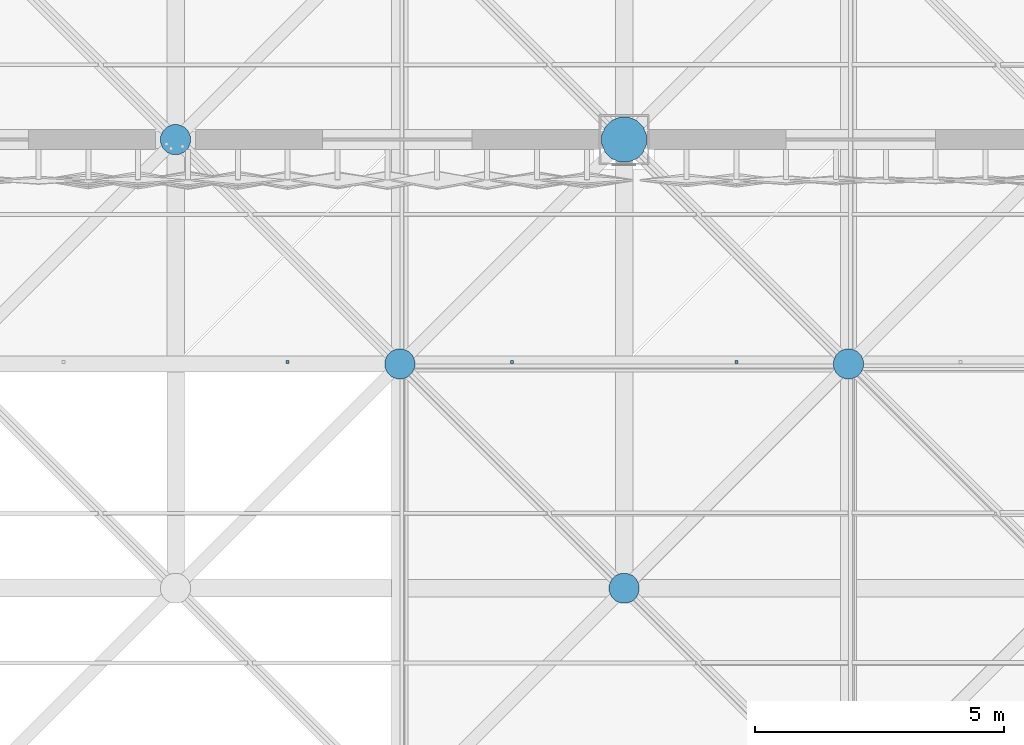
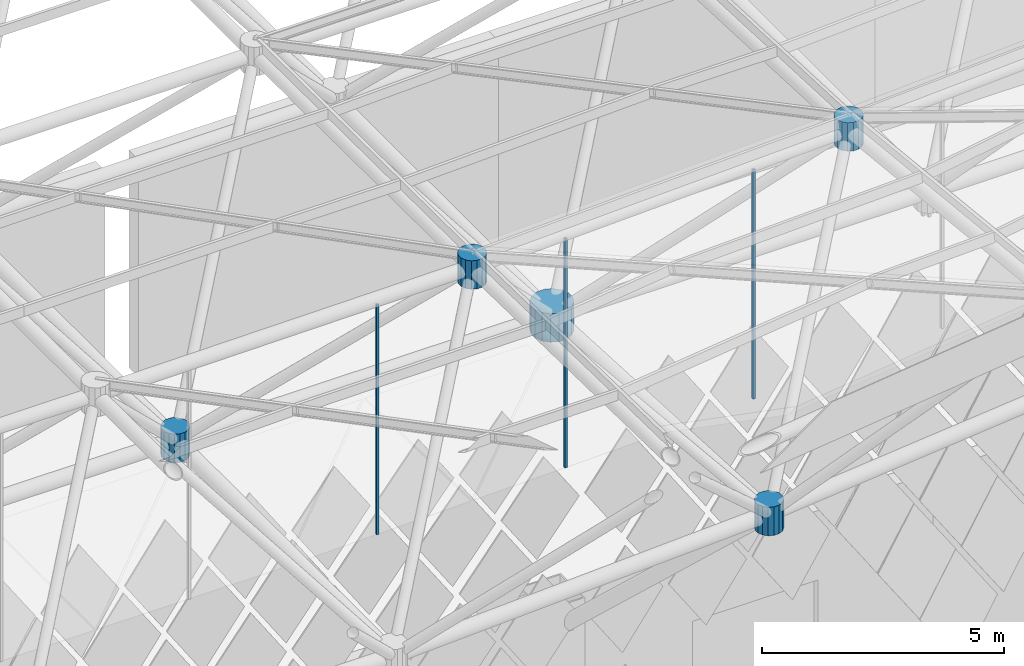
# One storey, part 304 of 437: 8 discrete accessories.
"""IFC4 building model written with IfcOpenShell, lengths in metres."""

from ifc_helpers import new_model, si_unit, direction, frame, origin, place, context, subcontext, project, spatial, polyline, outline, extrude, material, type_object, element, save


model = new_model("IFC4")

# Units and contexts
model_context = context("Model", 3, precision=1e-05, world=origin(), true_north=direction((0.0, 1.0)))
body_context = subcontext(model_context, "Body", "Model", "MODEL_VIEW")
ifc_project = project(units=[si_unit("LENGTHUNIT", "METRE"), si_unit("AREAUNIT", "SQUARE_METRE"), si_unit("VOLUMEUNIT", "CUBIC_METRE"), si_unit("PLANEANGLEUNIT", "RADIAN"), si_unit("MASSUNIT", "GRAM", prefix="KILO")], contexts=[model_context])

# Site, building, storey
site_placement = place(None, origin())
site = spatial("IfcSite", under=ifc_project, at=site_placement, CompositionType="ELEMENT")
building_placement = place(site_placement, origin())
building = spatial("IfcBuilding", under=site, at=building_placement, Name="Opaline Strait Convention Centre", CompositionType="ELEMENT")
storey_placement = place(building_placement, frame((0.0, 0.0, 11.5)))
storey = spatial("IfcBuildingStorey", under=building, at=storey_placement, Name="L02", CompositionType="ELEMENT", Elevation=11.5)

# Discrete accessories
ifc_material_1 = material(Name="Steel Q355B", Category="steel")
discrete_accessory_type_1 = type_object("IfcDiscreteAccessoryType", Name="Soffit hanger 60x60 steel", PredefinedType="BRACKET", material=ifc_material_1)
discrete_accessory_1_placement = place(storey_placement, frame((0.0, 0.0, 12.051513671875)))
element("IfcDiscreteAccessory", 1, at=discrete_accessory_1_placement, inside=storey, type_object=discrete_accessory_type_1, Name="Soffit hanger", PredefinedType="BRACKET", context=body_context, shape_type="SweptSolid", body=[
    extrude(outline(polyline([(218.219970703125, 49.5048828125), (218.280029296875, 49.5048828125), (218.280029296875, 49.56494140625), (218.219970703125, 49.56494140625), (218.219970703125, 49.5048828125)])), origin(), (0.0, 0.0, 1.0), 5.806640625),
])
discrete_accessory_2_placement = place(storey_placement, frame((0.0, 0.0, 12.163818359375)))
element("IfcDiscreteAccessory", 2, at=discrete_accessory_2_placement, inside=storey, type_object=discrete_accessory_type_1, Name="Soffit hanger", PredefinedType="BRACKET", context=body_context, shape_type="SweptSolid", body=[
    extrude(outline(polyline([(222.719970703125, 49.5048828125), (222.780029296875, 49.5048828125), (222.780029296875, 49.56494140625), (222.719970703125, 49.56494140625), (222.719970703125, 49.5048828125)])), origin(), (0.0, 0.0, 1.0), 5.794677734375),
])
discrete_accessory_3_placement = place(storey_placement, frame((0.0, 0.0, 12.32763671875)))
element("IfcDiscreteAccessory", 3, at=discrete_accessory_3_placement, inside=storey, type_object=discrete_accessory_type_1, Name="Soffit hanger", PredefinedType="BRACKET", context=body_context, shape_type="SweptSolid", body=[
    extrude(outline(polyline([(227.219970703125, 49.5048828125), (227.280029296875, 49.5048828125), (227.280029296875, 49.56494140625), (227.219970703125, 49.56494140625), (227.219970703125, 49.5048828125)])), origin(), (0.0, 0.0, 1.0), 5.799072265625),
])
ifc_material_2 = material(Name="Cast steel ZG300-500H (300 MPa)", Category="steel")
discrete_accessory_type_2 = type_object("IfcDiscreteAccessoryType", Name="Space frame bearing node hub D900", PredefinedType="USERDEFINED", material=ifc_material_2)
discrete_accessory_4_placement = place(storey_placement, frame((0.0, 0.0, 12.139892578125)))
element("IfcDiscreteAccessory", 4, at=discrete_accessory_4_placement, inside=storey, type_object=discrete_accessory_type_2, Name="Bottom node 16/2", ObjectType="NODE HUB", PredefinedType="USERDEFINED", context=body_context, shape_type="SweptSolid", body=[
    extrude(outline(polyline([(225.449951171875, 54.089599609375), (225.381591796875, 54.2548828125), (225.2548828125, 54.381591796875), (225.089599609375, 54.449951171875), (224.910400390625, 54.449951171875), (224.7451171875, 54.381591796875), (224.618408203125, 54.2548828125), (224.550048828125, 54.089599609375), (224.550048828125, 53.910400390625), (224.618408203125, 53.7451171875), (224.7451171875, 53.618408203125), (224.910400390625, 53.550048828125), (225.089599609375, 53.550048828125), (225.2548828125, 53.618408203125), (225.381591796875, 53.7451171875), (225.449951171875, 53.910400390625), (225.449951171875, 54.089599609375)])), origin(), (0.0, 0.0, 1.0), 0.72021484375),
])
discrete_accessory_type_3 = type_object("IfcDiscreteAccessoryType", Name="Space frame node hub D600", PredefinedType="USERDEFINED", material=ifc_material_2)
discrete_accessory_5_placement = place(storey_placement, frame((0.0, 0.0, 17.677001953125)))
element("IfcDiscreteAccessory", 5, at=discrete_accessory_5_placement, inside=storey, type_object=discrete_accessory_type_3, Name="Top node 16/2", ObjectType="NODE HUB", PredefinedType="USERDEFINED", context=body_context, shape_type="SweptSolid", body=[
    extrude(outline(polyline([(220.800048828125, 49.559814453125), (220.75439453125, 49.669921875), (220.669921875, 49.75439453125), (220.559814453125, 49.800048828125), (220.440185546875, 49.800048828125), (220.330078125, 49.75439453125), (220.24560546875, 49.669921875), (220.199951171875, 49.559814453125), (220.199951171875, 49.440185546875), (220.24560546875, 49.330078125), (220.330078125, 49.24560546875), (220.440185546875, 49.199951171875), (220.559814453125, 49.199951171875), (220.669921875, 49.24560546875), (220.75439453125, 49.330078125), (220.800048828125, 49.440185546875), (220.800048828125, 49.559814453125)])), origin(), (0.0, 0.0, 1.0), 0.719970703125),
])
discrete_accessory_6_placement = place(storey_placement, frame((0.0, 0.0, 18.013427734375)))
element("IfcDiscreteAccessory", 6, at=discrete_accessory_6_placement, inside=storey, type_object=discrete_accessory_type_3, Name="Top node 17/2", ObjectType="NODE HUB", PredefinedType="USERDEFINED", context=body_context, shape_type="SweptSolid", body=[
    extrude(outline(polyline([(229.800048828125, 49.559814453125), (229.75439453125, 49.669921875), (229.669921875, 49.75439453125), (229.559814453125, 49.800048828125), (229.440185546875, 49.800048828125), (229.330078125, 49.75439453125), (229.24560546875, 49.669921875), (229.199951171875, 49.559814453125), (229.199951171875, 49.440185546875), (229.24560546875, 49.330078125), (229.330078125, 49.24560546875), (229.440185546875, 49.199951171875), (229.559814453125, 49.199951171875), (229.669921875, 49.24560546875), (229.75439453125, 49.330078125), (229.800048828125, 49.440185546875), (229.800048828125, 49.559814453125)])), origin(), (0.0, 0.0, 1.0), 0.719970703125),
])
discrete_accessory_7_placement = place(storey_placement, frame((0.0, 0.0, 12.139892578125)))
element("IfcDiscreteAccessory", 7, at=discrete_accessory_7_placement, inside=storey, type_object=discrete_accessory_type_3, Name="Bottom node 15/2", ObjectType="NODE HUB", PredefinedType="USERDEFINED", context=body_context, shape_type="SweptSolid", body=[
    extrude(outline(polyline([(216.300048828125, 54.059814453125), (216.25439453125, 54.169921875), (216.169921875, 54.25439453125), (216.059814453125, 54.300048828125), (215.940185546875, 54.300048828125), (215.830078125, 54.25439453125), (215.74560546875, 54.169921875), (215.699951171875, 54.059814453125), (215.699951171875, 53.940185546875), (215.74560546875, 53.830078125), (215.830078125, 53.74560546875), (215.940185546875, 53.699951171875), (216.059814453125, 53.699951171875), (216.169921875, 53.74560546875), (216.25439453125, 53.830078125), (216.300048828125, 53.940185546875), (216.300048828125, 54.059814453125)])), origin(), (0.0, 0.0, 1.0), 0.72021484375),
])
discrete_accessory_8_placement = place(storey_placement, frame((0.0, 0.0, 12.599365234375)))
element("IfcDiscreteAccessory", 8, at=discrete_accessory_8_placement, inside=storey, type_object=discrete_accessory_type_3, Name="Bottom node 16/1", ObjectType="NODE HUB", PredefinedType="USERDEFINED", context=body_context, shape_type="SweptSolid", body=[
    extrude(outline(polyline([(225.300048828125, 45.059814453125), (225.25439453125, 45.169921875), (225.169921875, 45.25439453125), (225.059814453125, 45.300048828125), (224.940185546875, 45.300048828125), (224.830078125, 45.25439453125), (224.74560546875, 45.169921875), (224.699951171875, 45.059814453125), (224.699951171875, 44.940185546875), (224.74560546875, 44.830078125), (224.830078125, 44.74560546875), (224.940185546875, 44.699951171875), (225.059814453125, 44.699951171875), (225.169921875, 44.74560546875), (225.25439453125, 44.830078125), (225.300048828125, 44.940185546875), (225.300048828125, 45.059814453125)])), origin(), (0.0, 0.0, 1.0), 0.719970703125),
])

save(model, "model.ifc")
